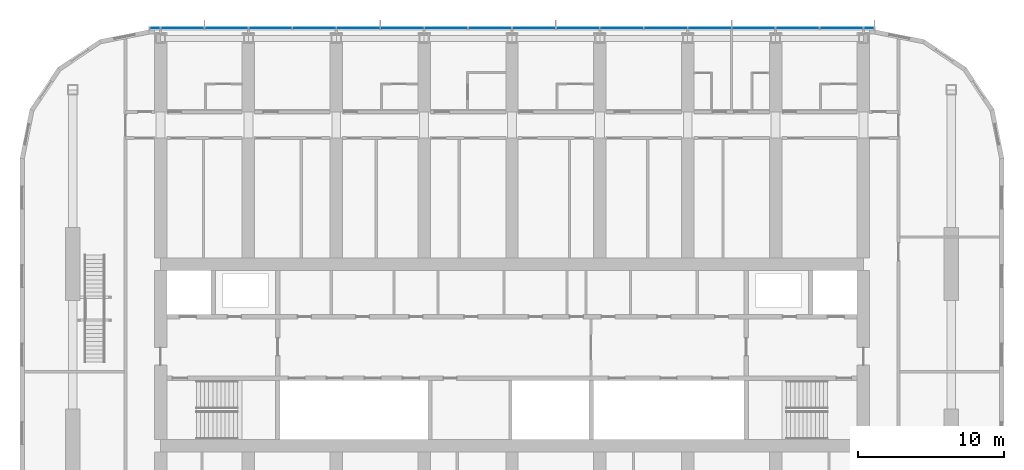
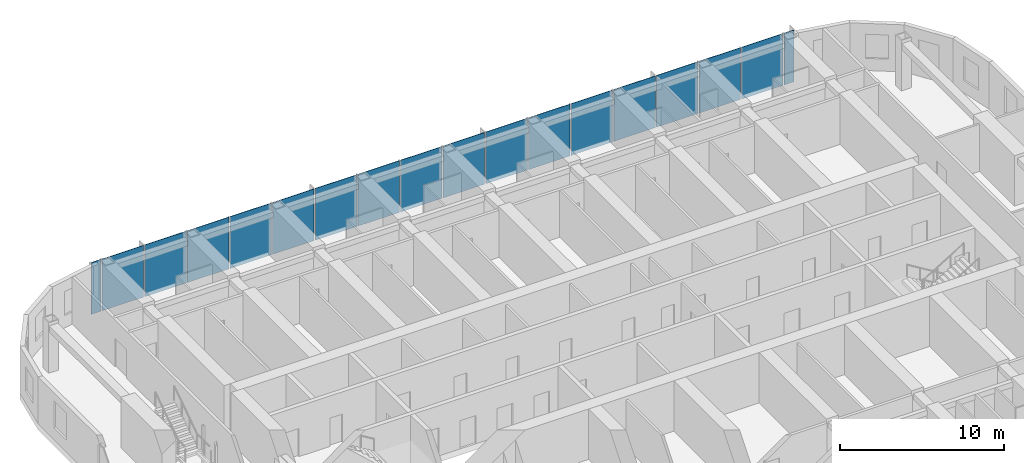
# One storey, part 12 of 28: 18 plates, 1 element without a shape of its own.
"""IFC4 building model written with IfcOpenShell, lengths in metres."""

from ifc_helpers import new_model, si_unit, direction, frame, origin, origin_2d, place, context, subcontext, project, spatial, rectangle, extrude, material, layer, layer_set, type_object, element, aggregate, save


model = new_model("IFC4")

# Units and contexts
model_context = context("Model", 3, precision=1e-05, world=origin(), true_north=direction((0.0, 1.0)))
body_context = subcontext(model_context, "Body", "Model", "MODEL_VIEW")
ifc_project = project(units=[si_unit("LENGTHUNIT", "METRE"), si_unit("AREAUNIT", "SQUARE_METRE"), si_unit("VOLUMEUNIT", "CUBIC_METRE"), si_unit("PLANEANGLEUNIT", "RADIAN"), si_unit("MASSUNIT", "GRAM", prefix="KILO")], contexts=[model_context])

# Site, building, storey
site_placement = place(None, origin())
site = spatial("IfcSite", under=ifc_project, at=site_placement, CompositionType="ELEMENT")
building_placement = place(site_placement, origin())
building = spatial("IfcBuilding", under=site, at=building_placement, Name="Orbita Commons", CompositionType="ELEMENT")
storey_placement = place(building_placement, frame((0.0, 0.0, 193.60009765625)))
storey = spatial("IfcBuildingStorey", under=building, at=storey_placement, Name="L48", CompositionType="ELEMENT", Elevation=193.60009765625)

# Curtain wall, plates
ifc_material_1 = material(Name="Anodised aluminium frame, pale silver", Category="aluminium")
curtain_wall_type = type_object("IfcCurtainWallType", Name="Unitised curtain wall CW-U, full-height vision", PredefinedType="NOTDEFINED", material=ifc_material_1)
curtain_wall_placement = place(storey_placement, origin())
curtain_wall = element("IfcCurtainWall", 1, at=curtain_wall_placement, inside=storey, type_object=curtain_wall_type, Name="Curtain wall north L48", PredefinedType="NOTDEFINED")
ifc_material_2 = material(Name="Clear double glazing", Category="glass")
ifc_layer = layer(ifc_material_2, 0.031982421875)
ifc_layer_set = layer_set([ifc_layer], Name="Clear double glazing")
plate_type = type_object("IfcPlateType", Name="Full-height vision panel, clear glazing 32", PredefinedType="CURTAIN_PANEL", material=ifc_layer_set)
plate_1_placement = place(storey_placement, frame((66.3798828125, 54.31005859375, -0.35009765625), z_axis=(0.0, 0.0, 1.0), x_axis=(-1.0, 0.0, 0.0)))
plate_1 = element("IfcPlate", 2, at=plate_1_placement, type_object=plate_type, Name="Panel 1.1 CW-L48-N", PredefinedType="CURTAIN_PANEL", context=body_context, shape_type="SweptSolid", body=[
    extrude(rectangle(XDim=0.679931640625, YDim=0.031982421875, at=origin_2d()), origin(), (0.0, 0.0, 1.0), 3.85009765625),
])
plate_2_placement = place(storey_placement, frame((64.5, 54.31005859375, -0.35009765625), z_axis=(0.0, 0.0, 1.0), x_axis=(-1.0, 0.0, 0.0)))
plate_2 = element("IfcPlate", 3, at=plate_2_placement, type_object=plate_type, Name="Panel 2.1 CW-L48-N", PredefinedType="CURTAIN_PANEL", context=body_context, shape_type="SweptSolid", body=[
    extrude(rectangle(XDim=2.919921875, YDim=0.031982421875, at=origin_2d()), origin(), (0.0, 0.0, 1.0), 3.85009765625),
])
plate_3_placement = place(storey_placement, frame((61.5, 54.31005859375, -0.35009765625), z_axis=(0.0, 0.0, 1.0), x_axis=(-1.0, 0.0, 0.0)))
plate_3 = element("IfcPlate", 4, at=plate_3_placement, type_object=plate_type, Name="Panel 3.1 CW-L48-N", PredefinedType="CURTAIN_PANEL", context=body_context, shape_type="SweptSolid", body=[
    extrude(rectangle(XDim=2.919921875, YDim=0.031982421875, at=origin_2d()), origin(), (0.0, 0.0, 1.0), 3.85009765625),
])
plate_4_placement = place(storey_placement, frame((58.5, 54.31005859375, -0.35009765625), z_axis=(0.0, 0.0, 1.0), x_axis=(-1.0, 0.0, 0.0)))
plate_4 = element("IfcPlate", 5, at=plate_4_placement, type_object=plate_type, Name="Panel 4.1 CW-L48-N", PredefinedType="CURTAIN_PANEL", context=body_context, shape_type="SweptSolid", body=[
    extrude(rectangle(XDim=2.919921875, YDim=0.031982421875, at=origin_2d()), origin(), (0.0, 0.0, 1.0), 3.85009765625),
])
plate_5_placement = place(storey_placement, frame((55.5, 54.31005859375, -0.35009765625), z_axis=(0.0, 0.0, 1.0), x_axis=(-1.0, 0.0, 0.0)))
plate_5 = element("IfcPlate", 6, at=plate_5_placement, type_object=plate_type, Name="Panel 5.1 CW-L48-N", PredefinedType="CURTAIN_PANEL", context=body_context, shape_type="SweptSolid", body=[
    extrude(rectangle(XDim=2.919921875, YDim=0.031982421875, at=origin_2d()), origin(), (0.0, 0.0, 1.0), 3.85009765625),
])
plate_6_placement = place(storey_placement, frame((52.5, 54.31005859375, -0.35009765625), z_axis=(0.0, 0.0, 1.0), x_axis=(-1.0, 0.0, 0.0)))
plate_6 = element("IfcPlate", 7, at=plate_6_placement, type_object=plate_type, Name="Panel 6.1 CW-L48-N", PredefinedType="CURTAIN_PANEL", context=body_context, shape_type="SweptSolid", body=[
    extrude(rectangle(XDim=2.919921875, YDim=0.031982421875, at=origin_2d()), origin(), (0.0, 0.0, 1.0), 3.85009765625),
])
plate_7_placement = place(storey_placement, frame((49.5, 54.31005859375, -0.35009765625), z_axis=(0.0, 0.0, 1.0), x_axis=(-1.0, 0.0, 0.0)))
plate_7 = element("IfcPlate", 8, at=plate_7_placement, type_object=plate_type, Name="Panel 7.1 CW-L48-N", PredefinedType="CURTAIN_PANEL", context=body_context, shape_type="SweptSolid", body=[
    extrude(rectangle(XDim=2.919921875, YDim=0.031982421875, at=origin_2d()), origin(), (0.0, 0.0, 1.0), 3.85009765625),
])
plate_8_placement = place(storey_placement, frame((46.5, 54.31005859375, -0.35009765625), z_axis=(0.0, 0.0, 1.0), x_axis=(-1.0, 0.0, 0.0)))
plate_8 = element("IfcPlate", 9, at=plate_8_placement, type_object=plate_type, Name="Panel 8.1 CW-L48-N", PredefinedType="CURTAIN_PANEL", context=body_context, shape_type="SweptSolid", body=[
    extrude(rectangle(XDim=2.919921875, YDim=0.031982421875, at=origin_2d()), origin(), (0.0, 0.0, 1.0), 3.85009765625),
])
plate_9_placement = place(storey_placement, frame((43.5, 54.31005859375, -0.35009765625), z_axis=(0.0, 0.0, 1.0), x_axis=(-1.0, 0.0, 0.0)))
plate_9 = element("IfcPlate", 10, at=plate_9_placement, type_object=plate_type, Name="Panel 9.1 CW-L48-N", PredefinedType="CURTAIN_PANEL", context=body_context, shape_type="SweptSolid", body=[
    extrude(rectangle(XDim=2.919921875, YDim=0.031982421875, at=origin_2d()), origin(), (0.0, 0.0, 1.0), 3.85009765625),
])
plate_10_placement = place(storey_placement, frame((40.5, 54.31005859375, -0.35009765625), z_axis=(0.0, 0.0, 1.0), x_axis=(-1.0, 0.0, 0.0)))
plate_10 = element("IfcPlate", 11, at=plate_10_placement, type_object=plate_type, Name="Panel 10.1 CW-L48-N", PredefinedType="CURTAIN_PANEL", context=body_context, shape_type="SweptSolid", body=[
    extrude(rectangle(XDim=2.919921875, YDim=0.031982421875, at=origin_2d()), origin(), (0.0, 0.0, 1.0), 3.85009765625),
])
plate_11_placement = place(storey_placement, frame((37.5, 54.31005859375, -0.35009765625), z_axis=(0.0, 0.0, 1.0), x_axis=(-1.0, 0.0, 0.0)))
plate_11 = element("IfcPlate", 12, at=plate_11_placement, type_object=plate_type, Name="Panel 11.1 CW-L48-N", PredefinedType="CURTAIN_PANEL", context=body_context, shape_type="SweptSolid", body=[
    extrude(rectangle(XDim=2.919921875, YDim=0.031982421875, at=origin_2d()), origin(), (0.0, 0.0, 1.0), 3.85009765625),
])
plate_12_placement = place(storey_placement, frame((34.5, 54.31005859375, -0.35009765625), z_axis=(0.0, 0.0, 1.0), x_axis=(-1.0, 0.0, 0.0)))
plate_12 = element("IfcPlate", 13, at=plate_12_placement, type_object=plate_type, Name="Panel 12.1 CW-L48-N", PredefinedType="CURTAIN_PANEL", context=body_context, shape_type="SweptSolid", body=[
    extrude(rectangle(XDim=2.919921875, YDim=0.031982421875, at=origin_2d()), origin(), (0.0, 0.0, 1.0), 3.85009765625),
])
plate_13_placement = place(storey_placement, frame((31.5, 54.31005859375, -0.35009765625), z_axis=(0.0, 0.0, 1.0), x_axis=(-1.0, 0.0, 0.0)))
plate_13 = element("IfcPlate", 14, at=plate_13_placement, type_object=plate_type, Name="Panel 13.1 CW-L48-N", PredefinedType="CURTAIN_PANEL", context=body_context, shape_type="SweptSolid", body=[
    extrude(rectangle(XDim=2.919921875, YDim=0.031982421875, at=origin_2d()), origin(), (0.0, 0.0, 1.0), 3.85009765625),
])
plate_14_placement = place(storey_placement, frame((28.5, 54.31005859375, -0.35009765625), z_axis=(0.0, 0.0, 1.0), x_axis=(-1.0, 0.0, 0.0)))
plate_14 = element("IfcPlate", 15, at=plate_14_placement, type_object=plate_type, Name="Panel 14.1 CW-L48-N", PredefinedType="CURTAIN_PANEL", context=body_context, shape_type="SweptSolid", body=[
    extrude(rectangle(XDim=2.919921875, YDim=0.031982421875, at=origin_2d()), origin(), (0.0, 0.0, 1.0), 3.85009765625),
])
plate_15_placement = place(storey_placement, frame((25.5, 54.31005859375, -0.35009765625), z_axis=(0.0, 0.0, 1.0), x_axis=(-1.0, 0.0, 0.0)))
plate_15 = element("IfcPlate", 16, at=plate_15_placement, type_object=plate_type, Name="Panel 15.1 CW-L48-N", PredefinedType="CURTAIN_PANEL", context=body_context, shape_type="SweptSolid", body=[
    extrude(rectangle(XDim=2.919921875, YDim=0.031982421875, at=origin_2d()), origin(), (0.0, 0.0, 1.0), 3.85009765625),
])
plate_16_placement = place(storey_placement, frame((22.5, 54.31005859375, -0.35009765625), z_axis=(0.0, 0.0, 1.0), x_axis=(-1.0, 0.0, 0.0)))
plate_16 = element("IfcPlate", 17, at=plate_16_placement, type_object=plate_type, Name="Panel 16.1 CW-L48-N", PredefinedType="CURTAIN_PANEL", context=body_context, shape_type="SweptSolid", body=[
    extrude(rectangle(XDim=2.919921875, YDim=0.031982421875, at=origin_2d()), origin(), (0.0, 0.0, 1.0), 3.85009765625),
])
plate_17_placement = place(storey_placement, frame((19.5, 54.31005859375, -0.35009765625), z_axis=(0.0, 0.0, 1.0), x_axis=(-1.0, 0.0, 0.0)))
plate_17 = element("IfcPlate", 18, at=plate_17_placement, type_object=plate_type, Name="Panel 17.1 CW-L48-N", PredefinedType="CURTAIN_PANEL", context=body_context, shape_type="SweptSolid", body=[
    extrude(rectangle(XDim=2.919921875, YDim=0.031982421875, at=origin_2d()), origin(), (0.0, 0.0, 1.0), 3.85009765625),
])
plate_18_placement = place(storey_placement, frame((17.6201171875, 54.31005859375, -0.35009765625), z_axis=(0.0, 0.0, 1.0), x_axis=(-1.0, 0.0, 0.0)))
plate_18 = element("IfcPlate", 19, at=plate_18_placement, type_object=plate_type, Name="Panel 18.1 CW-L48-N", PredefinedType="CURTAIN_PANEL", context=body_context, shape_type="SweptSolid", body=[
    extrude(rectangle(XDim=0.679931640625, YDim=0.031982421875, at=origin_2d()), origin(), (0.0, 0.0, 1.0), 3.85009765625),
])
aggregate(curtain_wall, [plate_1, plate_2, plate_3, plate_4, plate_5, plate_6, plate_7, plate_8, plate_9, plate_10, plate_11, plate_12, plate_13, plate_14, plate_15, plate_16, plate_17, plate_18])

save(model, "model.ifc")
